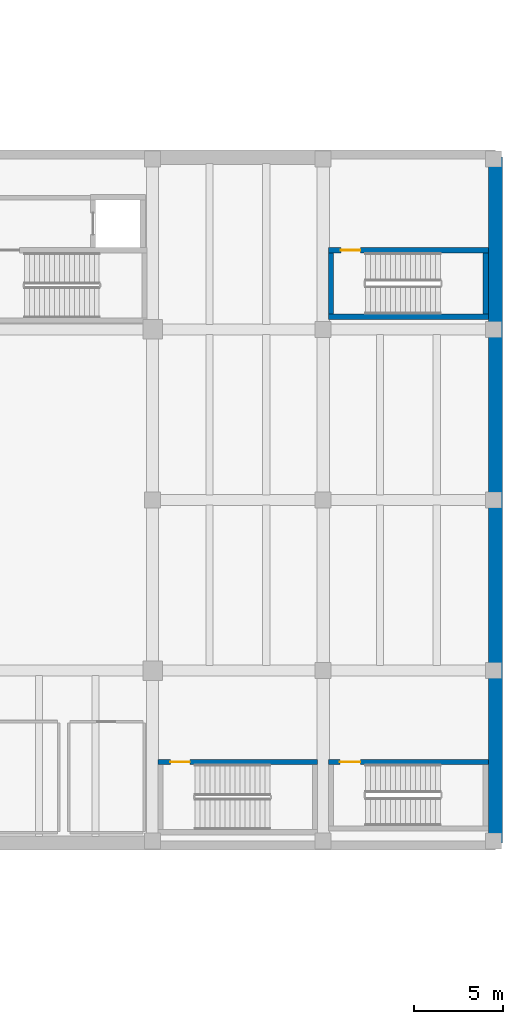
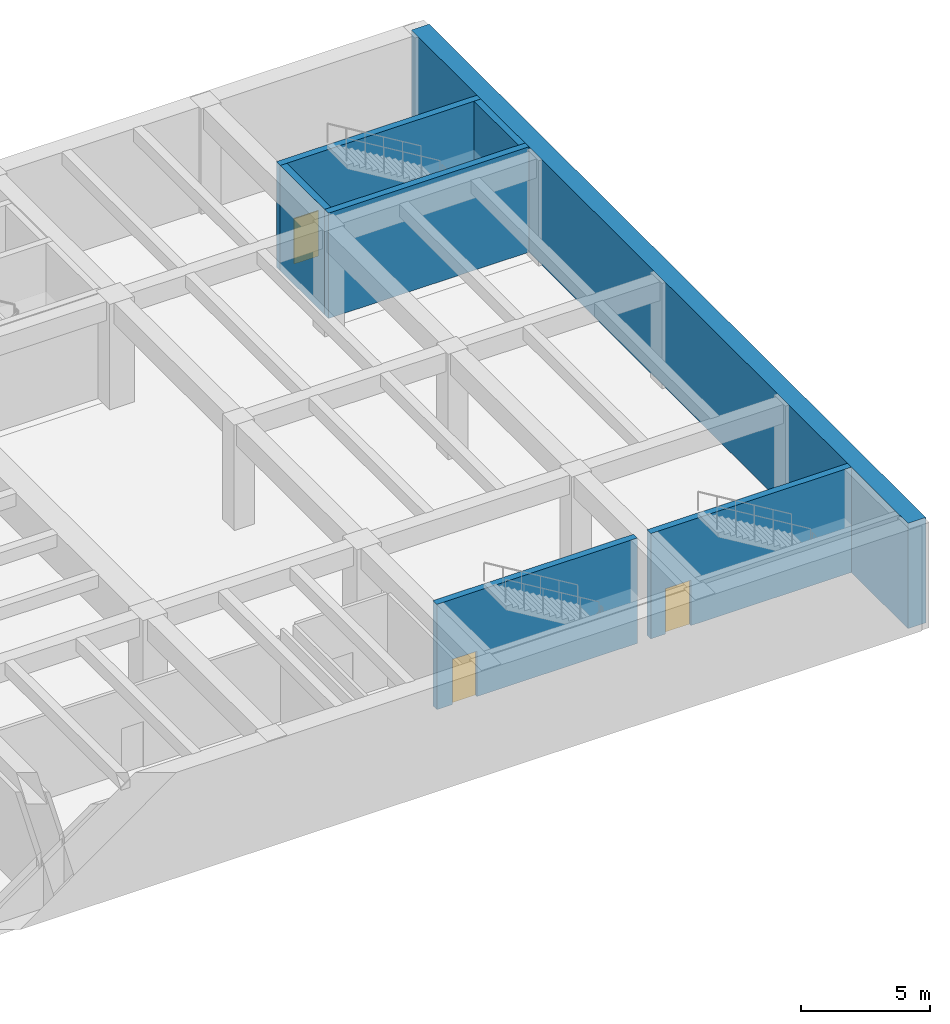
# One storey, part 10 of 19: 7 walls, 3 doors, 3 openings.
"""IFC4 building model written with IfcOpenShell, lengths in metres."""

from ifc_helpers import new_model, si_unit, direction, frame, frame_2d, origin, place, context, subcontext, project, spatial, rectangle, extrude, material, layer, layer_set, type_object, element, fill, save


model = new_model("IFC4")

# Units and contexts
model_context = context("Model", 3, precision=1e-05, world=origin(), true_north=direction((0.0, 1.0)))
body_context = subcontext(model_context, "Body", "Model", "MODEL_VIEW")
ifc_project = project(units=[si_unit("LENGTHUNIT", "METRE"), si_unit("AREAUNIT", "SQUARE_METRE"), si_unit("VOLUMEUNIT", "CUBIC_METRE"), si_unit("PLANEANGLEUNIT", "RADIAN"), si_unit("MASSUNIT", "GRAM", prefix="KILO")], contexts=[model_context])

# Site, building, storey
site_placement = place(None, origin())
site = spatial("IfcSite", under=ifc_project, at=site_placement, CompositionType="ELEMENT")
building_placement = place(site_placement, origin())
building = spatial("IfcBuilding", under=site, at=building_placement, Name="Coralgate Yard Interchange", CompositionType="ELEMENT")
storey_placement = place(building_placement, frame((0.0, 0.0, -5.39990234375)))
storey = spatial("IfcBuildingStorey", under=building, at=storey_placement, Name="B1", CompositionType="ELEMENT", Elevation=-5.39990234375)

# Wall, opening, door
ifc_material_1 = material(Name="Concrete C40/50", Category="concrete")
ifc_layer_1 = layer(ifc_material_1, 0.300048828125)
ifc_layer_set_1 = layer_set([ifc_layer_1], Name="Concrete C40/50")
wall_type_1 = type_object("IfcWallType", Name="WAL-CW300", PredefinedType="SHEAR", material=ifc_layer_set_1)
wall_1_placement = place(storey_placement, frame((153.300048828125, 42.85009765625, 0.0), z_axis=(0.0, 0.0, 1.0), x_axis=(-1.0, 0.0, 0.0)))
wall_1 = element("IfcWall", 1, at=wall_1_placement, inside=storey, type_object=wall_type_1, Name="C10 B1 stair north shear wall", PredefinedType="SHEAR", context=body_context, shape_type="SweptSolid", body=[
    extrude(rectangle(XDim=9.0, YDim=0.300048828125, at=frame_2d((4.5, 0.0))), origin(), (0.0, 0.0, 1.0), 5.0),
])
opening_1_placement = place(wall_1_placement, frame((7.199951171875, 0.0, 0.0)))
opening_1 = element("IfcOpeningElement", 2, at=opening_1_placement, cuts=wall_1, Name="Opening FD-1B", PredefinedType="OPENING", context=body_context, shape_type="SweptSolid", body=[
    extrude(rectangle(XDim=1.14990234375, YDim=2.14990234375, at=frame_2d((0.574951171875, 1.074951171875))), frame((0.0, 0.159912109375, 0.0), z_axis=(0.0, -1.0, 0.0), x_axis=(1.0, 0.0, 0.0)), (0.0, 0.0, 1.0), 0.320068359375),
])
ifc_material_2 = material(Name="Powder-coated steel fire door assembly", Category="steel")
door_type_1 = type_object("IfcDoorType", Name="DOR-FD-1B", OperationType="NOTDEFINED", PredefinedType="DOOR", material=ifc_material_2)
door_1_placement = place(opening_1_placement, frame((1.14990234375, 0.0, 0.0), z_axis=(0.0, 0.0, 1.0), x_axis=(-1.0, 0.0, 0.0)))
door_1 = element("IfcDoor", 3, at=door_1_placement, inside=storey, type_object=door_type_1, Name="C10 B1 stair fire door", OperationType="SINGLE_SWING_LEFT", OverallHeight=2.14990234375, OverallWidth=1.14990234375, PredefinedType="DOOR", context=body_context, shape_type="SweptSolid", body=[
    extrude(rectangle(XDim=1.14990234375, YDim=2.14990234375, at=frame_2d((0.574951171875, 1.074951171875))), frame((0.0, 0.02490234375, 0.0), z_axis=(0.0, -1.0, 0.0), x_axis=(1.0, 0.0, 0.0)), (0.0, 0.0, 1.0), 0.050048828125),
])
fill(opening_1, door_1)

# Wall
wall_2_placement = place(storey_placement, frame((144.300048828125, 67.909912109375, 0.0), z_axis=(0.0, 0.0, 1.0), x_axis=(1.0, 0.0, 0.0)))
element("IfcWall", 4, at=wall_2_placement, inside=storey, type_object=wall_type_1, Name="C11 B1 stair south shear wall", PredefinedType="SHEAR", context=body_context, shape_type="SweptSolid", body=[
    extrude(rectangle(XDim=9.0, YDim=0.300048828125, at=frame_2d((4.5, 0.0))), origin(), (0.0, 0.0, 1.0), 5.0),
])

# Wall, opening, door
wall_3_placement = place(storey_placement, frame((153.300048828125, 71.64990234375, 0.0), z_axis=(0.0, 0.0, 1.0), x_axis=(-1.0, 0.0, 0.0)))
wall_3 = element("IfcWall", 5, at=wall_3_placement, inside=storey, type_object=wall_type_1, Name="C11 B1 stair north shear wall", PredefinedType="SHEAR", context=body_context, shape_type="SweptSolid", body=[
    extrude(rectangle(XDim=9.0, YDim=0.300048828125, at=frame_2d((4.5, 0.0))), origin(), (0.0, 0.0, 1.0), 5.0),
])
opening_2_placement = place(wall_3_placement, frame((7.199951171875, 0.0, 0.0)))
opening_2 = element("IfcOpeningElement", 6, at=opening_2_placement, cuts=wall_3, Name="Opening FD-1", PredefinedType="OPENING", context=body_context, shape_type="SweptSolid", body=[
    extrude(rectangle(XDim=1.10009765625, YDim=2.14990234375, at=frame_2d((0.550048828125, 1.074951171875))), frame((0.0, 0.159912109375, 0.0), z_axis=(0.0, -1.0, 0.0), x_axis=(1.0, 0.0, 0.0)), (0.0, 0.0, 1.0), 0.320068359375),
])
door_type_2 = type_object("IfcDoorType", Name="DOR-FD-1", OperationType="NOTDEFINED", PredefinedType="DOOR", material=ifc_material_2)
door_2_placement = place(opening_2_placement, frame((1.10009765625, 0.0, 0.0), z_axis=(0.0, 0.0, 1.0), x_axis=(-1.0, 0.0, 0.0)))
door_2 = element("IfcDoor", 7, at=door_2_placement, inside=storey, type_object=door_type_2, Name="C11 B1 stair fire door", OperationType="SINGLE_SWING_RIGHT", OverallHeight=2.14990234375, OverallWidth=1.10009765625, PredefinedType="DOOR", context=body_context, shape_type="SweptSolid", body=[
    extrude(rectangle(XDim=1.10009765625, YDim=2.14990234375, at=frame_2d((0.550048828125, 1.074951171875))), frame((0.0, 0.02490234375, 0.0), z_axis=(0.0, -1.0, 0.0), x_axis=(1.0, 0.0, 0.0)), (0.0, 0.0, 1.0), 0.050048828125),
])
fill(opening_2, door_2)

# Walls
for number, where, z_axis, x_axis, name in (
    (8, (144.449951171875, 68.06005859375, 0.0), (0.0, 0.0, 1.0), (0.0, 1.0, 0.0), "C11 B1 stair west shear wall"),
    (9, (153.14990234375, 71.5, 0.0), (0.0, 0.0, 1.0), (0.0, -1.0, 0.0), "C11 B1 stair east shear wall"),
):
    element("IfcWall", number, at=place(storey_placement, frame(where, z_axis=z_axis, x_axis=x_axis)), inside=storey, type_object=wall_type_1, Name=name, PredefinedType="SHEAR", context=body_context, shape_type="SweptSolid", body=[
        extrude(rectangle(XDim=3.43994140625, YDim=0.300048828125, at=frame_2d((1.719970703125, 0.0))), origin(), (0.0, 0.0, 1.0), 5.0),
    ])

# Wall, opening, door
wall_4_placement = place(storey_placement, frame((143.699951171875, 42.85009765625, 0.0), z_axis=(0.0, 0.0, 1.0), x_axis=(-1.0, 0.0, 0.0)))
wall_4 = element("IfcWall", 10, at=wall_4_placement, inside=storey, type_object=wall_type_1, Name="C13 B1 stair north shear wall", PredefinedType="SHEAR", context=body_context, shape_type="SweptSolid", body=[
    extrude(rectangle(XDim=9.0, YDim=0.300048828125, at=frame_2d((4.5, 0.0))), origin(), (0.0, 0.0, 1.0), 5.0),
])
opening_3_placement = place(wall_4_placement, frame((7.199951171875, 0.0, 0.0)))
opening_3 = element("IfcOpeningElement", 11, at=opening_3_placement, cuts=wall_4, Name="Opening FD-1", PredefinedType="OPENING", context=body_context, shape_type="SweptSolid", body=[
    extrude(rectangle(XDim=1.10009765625, YDim=2.14990234375, at=frame_2d((0.550048828125, 1.074951171875))), frame((0.0, 0.159912109375, 0.0), z_axis=(0.0, -1.0, 0.0), x_axis=(1.0, 0.0, 0.0)), (0.0, 0.0, 1.0), 0.320068359375),
])
door_3_placement = place(opening_3_placement, frame((1.10009765625, 0.0, 0.0), z_axis=(0.0, 0.0, 1.0), x_axis=(-1.0, 0.0, 0.0)))
door_3 = element("IfcDoor", 12, at=door_3_placement, inside=storey, type_object=door_type_2, Name="C13 B1 stair fire door", OperationType="SINGLE_SWING_RIGHT", OverallHeight=2.14990234375, OverallWidth=1.10009765625, PredefinedType="DOOR", context=body_context, shape_type="SweptSolid", body=[
    extrude(rectangle(XDim=1.10009765625, YDim=2.14990234375, at=frame_2d((0.550048828125, 1.074951171875))), frame((0.0, 0.02490234375, 0.0), z_axis=(0.0, -1.0, 0.0), x_axis=(1.0, 0.0, 0.0)), (0.0, 0.0, 1.0), 0.050048828125),
])
fill(opening_3, door_3)

# Wall
ifc_layer_2 = layer(ifc_material_1, 0.800048828125)
ifc_layer_set_2 = layer_set([ifc_layer_2], Name="Concrete C40/50")
wall_type_2 = type_object("IfcWallType", Name="WAL-DW800", PredefinedType="SOLIDWALL", material=ifc_layer_set_2)
wall_5_placement = place(storey_placement, frame((153.699951171875, 76.89990234375, 0.0), z_axis=(0.0, 0.0, 1.0), x_axis=(0.0, -1.0, 0.0)))
element("IfcWall", 13, at=wall_5_placement, inside=storey, type_object=wall_type_2, Name="B1 diaphragm retaining wall 12", PredefinedType="SOLIDWALL", context=body_context, shape_type="SweptSolid", body=[
    extrude(rectangle(XDim=38.599853515625, YDim=0.800048828125, at=frame_2d((19.2998046875, 0.0))), origin(), (0.0, 0.0, 1.0), 5.0),
])

save(model, "model.ifc")
